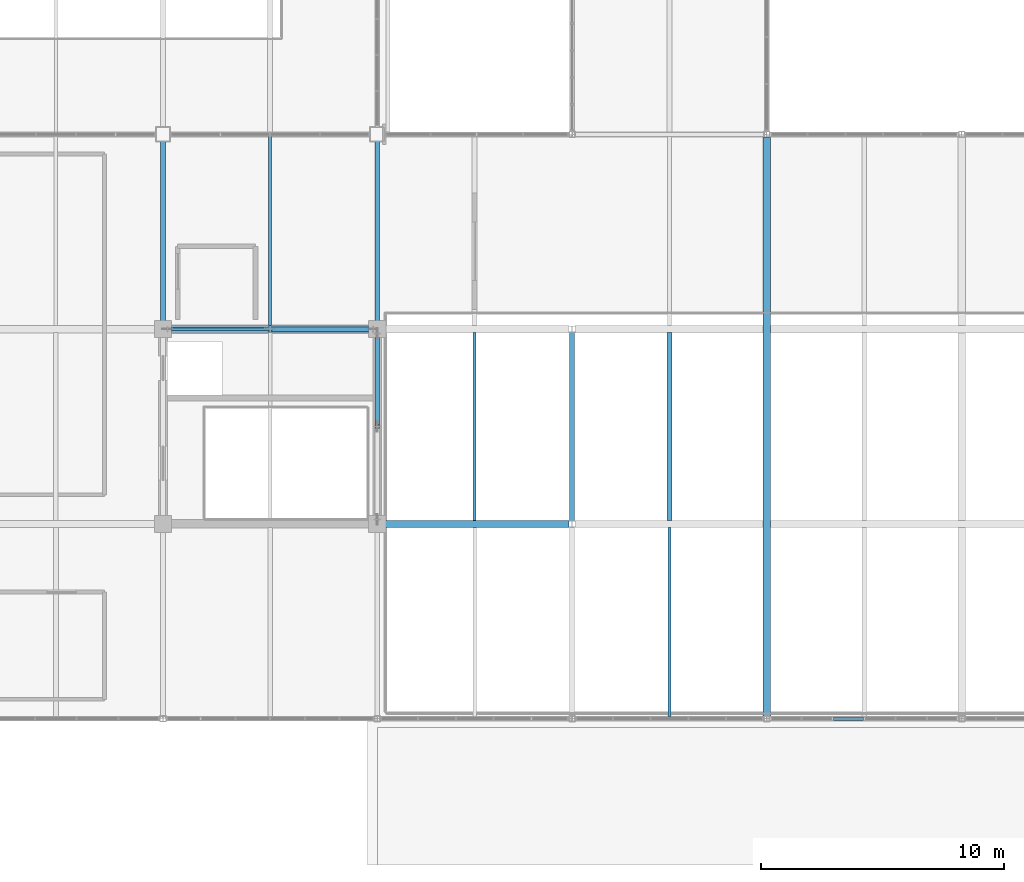
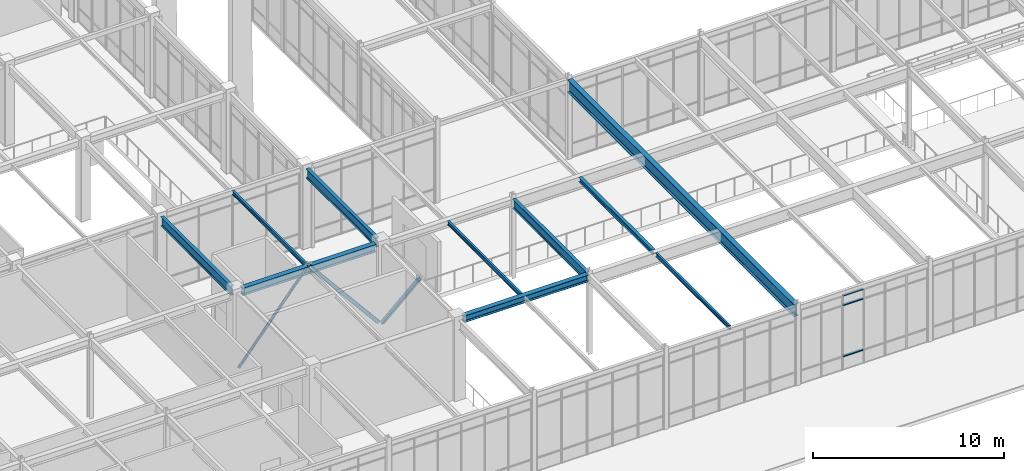
# One storey, part 32 of 184: 10 beams, 6 members, 1 element without a shape of its own.
"""IFC4 building model written with IfcOpenShell, lengths in metres."""

from ifc_helpers import new_model, si_unit, direction, frame, origin, origin_2d, place, context, subcontext, project, spatial, rectangle, hollow_rectangle, hollow_circle, i_section, extrude, material, material_profile, profile_set, type_object, element, aggregate, save


model = new_model("IFC4")

# Units and contexts
model_context = context("Model", 3, precision=1e-05, world=origin(), true_north=direction((0.0, 1.0)))
body_context = subcontext(model_context, "Body", "Model", "MODEL_VIEW")
ifc_project = project(units=[si_unit("LENGTHUNIT", "METRE"), si_unit("AREAUNIT", "SQUARE_METRE"), si_unit("VOLUMEUNIT", "CUBIC_METRE"), si_unit("PLANEANGLEUNIT", "RADIAN"), si_unit("MASSUNIT", "GRAM", prefix="KILO")], contexts=[model_context])

# Site, building, storey
site_placement = place(None, origin())
site = spatial("IfcSite", under=ifc_project, at=site_placement, CompositionType="ELEMENT")
building_placement = place(site_placement, origin())
building = spatial("IfcBuilding", under=site, at=building_placement, Name="Zhaolan Boulevard Law Courts", CompositionType="ELEMENT")
storey_placement = place(building_placement, frame((0.0, 0.0, 5.39990234375)))
storey = spatial("IfcBuildingStorey", under=building, at=storey_placement, Name="L01", CompositionType="ELEMENT", Elevation=5.39990234375)

# Members
ifc_material_1 = material(Name="Structural steel Q355B", Category="steel")
ifc_material_profile_1 = material_profile(ifc_material_1, hollow_rectangle(XDim=0.199951171875, YDim=0.199951171875, WallThickness=0.010009765625, InnerFilletRadius=0.010009765625, OuterFilletRadius=0.02001953125, at=origin_2d()), Name="HSS200x200x10")
ifc_profile_set_1 = profile_set([ifc_material_profile_1], Name="Structural steel Q355B")
member_type_1 = type_object("IfcMemberType", Name="BRACE HSS200", PredefinedType="BRACE", material=ifc_profile_set_1)
member_1_placement = place(storey_placement, frame((44.0, 21.820068359375, 0.030029296875), z_axis=(0.0, -0.600251625626, 0.799811218935), x_axis=(1.0, 0.0, 0.0)))
element("IfcMember", 1, at=member_1_placement, inside=storey, type_object=member_type_1, Name="Core Brace BR-P1-L01-E2", PredefinedType="BRACE", context=body_context, shape_type="SweptSolid", body=[
    extrude(hollow_rectangle(XDim=0.199951171875, YDim=0.199951171875, WallThickness=0.010009765625, InnerFilletRadius=0.010009765625, OuterFilletRadius=0.02001953125, at=origin_2d()), origin(), (0.0, 0.0, 1.0), 6.364013671875),
])
ifc_material_2 = material(Name="Structural steel Q355B", Category="steel")
ifc_material_profile_2 = material_profile(ifc_material_2, hollow_rectangle(XDim=0.219970703125, YDim=0.219970703125, WallThickness=0.010009765625, InnerFilletRadius=0.010009765625, OuterFilletRadius=0.02001953125, at=origin_2d()), Name="HSS220x220x10")
ifc_profile_set_2 = profile_set([ifc_material_profile_2], Name="Structural steel Q355B")
member_type_2 = type_object("IfcMemberType", Name="BRACE HSS220", PredefinedType="BRACE", material=ifc_profile_set_2)
member_2_placement = place(storey_placement, frame((43.820068359375, 22.0, 0.030029296875), z_axis=(-0.638239277889, 0.0, 0.769838050605), x_axis=(0.0, -1.0, 0.0)))
element("IfcMember", 2, at=member_2_placement, inside=storey, type_object=member_type_2, Name="Core Brace BR-P1-L01-N2", PredefinedType="BRACE", context=body_context, shape_type="SweptSolid", body=[
    extrude(hollow_rectangle(XDim=0.219970703125, YDim=0.219970703125, WallThickness=0.010009765625, InnerFilletRadius=0.010009765625, OuterFilletRadius=0.02001953125, at=origin_2d()), origin(), (0.0, 0.0, 1.0), 6.61181640625),
])

# Curtain wall, members
ifc_material_3 = material(Name="Thermally broken aluminium and low-E glazing", Category="aluminium")
curtain_wall_type = type_object("IfcCurtainWallType", Name="CURTAIN WALL M11", PredefinedType="USERDEFINED", material=ifc_material_3)
curtain_wall_placement = place(storey_placement, origin())
curtain_wall = element("IfcCurtainWall", 3, at=curtain_wall_placement, inside=storey, type_object=curtain_wall_type, Name="Curtain Wall CW-L01-035", ObjectType="CURTAIN WALL", PredefinedType="USERDEFINED")
ifc_material_4 = material(Name="Fluorocarbon-coated aluminium 6063-T6", Category="aluminium")
ifc_material_profile_3 = material_profile(ifc_material_4, rectangle(XDim=0.139892578125, YDim=0.06494140625, at=origin_2d()), Name="AL65x140")
ifc_profile_set_3 = profile_set([ifc_material_profile_3], Name="Fluorocarbon-coated aluminium 6063-T6")
member_type_3 = type_object("IfcMemberType", Name="CWTRANSOM 65X140", PredefinedType="USERDEFINED", material=ifc_profile_set_3)
member_3_placement = place(storey_placement, frame((62.741455078125, 6.0, 0.900146484375), z_axis=(1.0, 0.0, 0.0), x_axis=(0.0, 1.0, 0.0)))
member_3 = element("IfcMember", 4, at=member_3_placement, type_object=member_type_3, Name="CW-L01-035 transom 3.2", ObjectType="TRANSOM", PredefinedType="USERDEFINED", context=body_context, shape_type="SweptSolid", body=[
    extrude(rectangle(XDim=0.139892578125, YDim=0.06494140625, at=origin_2d()), origin(), (0.0, 0.0, 1.0), 1.22607421875),
])
member_4_placement = place(storey_placement, frame((62.741455078125, 6.0, 4.173095703125), z_axis=(1.0, 0.0, 0.0), x_axis=(0.0, 1.0, 0.0)))
member_4 = element("IfcMember", 5, at=member_4_placement, type_object=member_type_3, Name="CW-L01-035 transom 3.3", ObjectType="TRANSOM", PredefinedType="USERDEFINED", context=body_context, shape_type="SweptSolid", body=[
    extrude(rectangle(XDim=0.139892578125, YDim=0.06494140625, at=origin_2d()), origin(), (0.0, 0.0, 1.0), 1.22607421875),
])
member_5_placement = place(storey_placement, frame((62.741455078125, 6.0, 4.79052734375), z_axis=(1.0, 0.0, 0.0), x_axis=(0.0, 1.0, 0.0)))
member_5 = element("IfcMember", 6, at=member_5_placement, type_object=member_type_3, Name="CW-L01-035 transom 3.4", ObjectType="TRANSOM", PredefinedType="USERDEFINED", context=body_context, shape_type="SweptSolid", body=[
    extrude(rectangle(XDim=0.139892578125, YDim=0.06494140625, at=origin_2d()), origin(), (0.0, 0.0, 1.0), 1.22607421875),
])
aggregate(curtain_wall, [member_3, member_4, member_5])

# Beams
ifc_material_5 = material(Name="Structural steel Q355B", Category="steel")
ifc_material_profile_4 = material_profile(ifc_material_5, i_section(OverallWidth=0.300048828125, OverallDepth=0.43994140625, WebThickness=0.010986328125, FlangeThickness=0.01806640625, FilletRadius=0.02001953125, at=origin_2d()), Name="HM440x300")
ifc_profile_set_4 = profile_set([ifc_material_profile_4], Name="Structural steel Q355B")
beam_type_1 = type_object("IfcBeamType", Name="GIRDER HM440", PredefinedType="BEAM", material=ifc_profile_set_4)
beam_1_placement = place(storey_placement, frame((44.345947265625, 14.0, 4.918212890625), z_axis=(1.0, 0.0, 0.0), x_axis=(0.0, 1.0, 0.0)))
element("IfcBeam", 7, at=beam_1_placement, inside=storey, type_object=beam_type_1, Name="Beam BX-L02-6-7-C", PredefinedType="BEAM", context=body_context, shape_type="SweptSolid", body=[
    extrude(i_section(OverallWidth=0.300048828125, OverallDepth=0.43994140625, WebThickness=0.010986328125, FlangeThickness=0.01806640625, FilletRadius=0.02001953125, at=origin_2d()), origin(), (0.0, 0.0, 1.0), 7.532958984375),
])
ifc_material_6 = material(Name="Structural steel Q355B", Category="steel")
ifc_material_profile_5 = material_profile(ifc_material_6, i_section(OverallWidth=0.300048828125, OverallDepth=0.488037109375, WebThickness=0.010986328125, FlangeThickness=0.01806640625, FilletRadius=0.02197265625, at=origin_2d()), Name="HM488x300")
ifc_profile_set_5 = profile_set([ifc_material_profile_5], Name="Structural steel Q355B")
beam_type_2 = type_object("IfcBeamType", Name="GIRDER HM500", PredefinedType="BEAM", material=ifc_profile_set_5)
beam_2_placement = place(storey_placement, frame((35.5458984375, 22.0, 4.89404296875), z_axis=(1.0, 0.0, 0.0), x_axis=(0.0, 1.0, 0.0)))
element("IfcBeam", 8, at=beam_2_placement, inside=storey, type_object=beam_type_2, Name="Beam BX-L02-5-6-D", PredefinedType="BEAM", context=body_context, shape_type="SweptSolid", body=[
    extrude(i_section(OverallWidth=0.300048828125, OverallDepth=0.488037109375, WebThickness=0.010986328125, FlangeThickness=0.01806640625, FilletRadius=0.02197265625, at=origin_2d()), origin(), (0.0, 0.0, 1.0), 8.108154296875),
])
ifc_material_7 = material(Name="Structural steel Q355B", Category="steel")
ifc_material_profile_6 = material_profile(ifc_material_7, i_section(OverallWidth=0.199951171875, OverallDepth=0.60009765625, WebThickness=0.010986328125, FlangeThickness=0.01708984375, FilletRadius=0.02001953125, at=origin_2d()), Name="HN600x200")
ifc_profile_set_6 = profile_set([ifc_material_profile_6], Name="Structural steel Q355B")
beam_type_3 = type_object("IfcBeamType", Name="GIRDER HN600", PredefinedType="BEAM", material=ifc_profile_set_6)
for number, where, z_axis, x_axis, name in (
    (9, (35.199951171875, 22.345947265625, 4.838134765625), (0.0, 1.0, 0.0), (-1.0, 0.0, 0.0), "Beam BY-L02-5-D-E"),
    (10, (44.0, 22.345947265625, 4.838134765625), (0.0, 1.0, 0.0), (-1.0, 0.0, 0.0), "Beam BY-L02-6-D-E"),
):
    element("IfcBeam", number, at=place(storey_placement, frame(where, z_axis=z_axis, x_axis=x_axis)), inside=storey, type_object=beam_type_3, Name=name, PredefinedType="BEAM", context=body_context, shape_type="SweptSolid", body=[
        extrude(i_section(OverallWidth=0.199951171875, OverallDepth=0.60009765625, WebThickness=0.010986328125, FlangeThickness=0.01708984375, FilletRadius=0.02001953125, at=origin_2d()), origin(), (0.0, 0.0, 1.0), 7.358154296875),
    ])
beam_3_placement = place(storey_placement, frame((52.0, 14.12109375, 4.838134765625), z_axis=(0.0, 1.0, 0.0), x_axis=(-1.0, 0.0, 0.0)))
element("IfcBeam", 11, at=beam_3_placement, inside=storey, type_object=beam_type_3, Name="Beam BY-L02-7-C-D", PredefinedType="BEAM", context=body_context, shape_type="SweptSolid", body=[
    extrude(i_section(OverallWidth=0.199951171875, OverallDepth=0.60009765625, WebThickness=0.010986328125, FlangeThickness=0.01708984375, FilletRadius=0.02001953125, at=origin_2d()), origin(), (0.0, 0.0, 1.0), 7.7578125),
])
ifc_material_8 = material(Name="Structural steel Q390B", Category="steel")
ifc_material_profile_7 = material_profile(ifc_material_8, i_section(OverallWidth=0.300048828125, OverallDepth=0.800048828125, WebThickness=0.013916015625, FlangeThickness=0.02587890625, FilletRadius=0.02392578125, at=origin_2d()), Name="HN800x300")
ifc_profile_set_7 = profile_set([ifc_material_profile_7], Name="Structural steel Q390B")
beam_type_4 = type_object("IfcBeamType", Name="GIRDER HN800", PredefinedType="BEAM", material=ifc_profile_set_7)
beam_4_placement = place(storey_placement, frame((60.0, 6.12109375, 4.738037109375), z_axis=(0.0, 1.0, 0.0), x_axis=(-1.0, 0.0, 0.0)))
element("IfcBeam", 12, at=beam_4_placement, inside=storey, type_object=beam_type_4, Name="Beam BY-L02-8-B-E", PredefinedType="BEAM", context=body_context, shape_type="SweptSolid", body=[
    extrude(i_section(OverallWidth=0.300048828125, OverallDepth=0.800048828125, WebThickness=0.013916015625, FlangeThickness=0.02587890625, FilletRadius=0.02392578125, at=origin_2d()), origin(), (0.0, 0.0, 1.0), 23.7578125),
])
ifc_material_9 = material(Name="Structural steel Q355B", Category="steel")
ifc_material_profile_8 = material_profile(ifc_material_9, i_section(OverallWidth=0.199951171875, OverallDepth=0.2939453125, WebThickness=0.008056640625, FlangeThickness=0.011962890625, FilletRadius=0.01611328125, at=origin_2d()), Name="HM294x200")
ifc_profile_set_8 = profile_set([ifc_material_profile_8], Name="Structural steel Q355B")
beam_type_5 = type_object("IfcBeamType", Name="JOIST HM294", PredefinedType="JOIST", material=ifc_profile_set_8)
beam_5_placement = place(storey_placement, frame((56.0, 14.14599609375, 4.9912109375), z_axis=(0.0, 1.0, 0.0), x_axis=(-1.0, 0.0, 0.0)))
element("IfcBeam", 13, at=beam_5_placement, inside=storey, type_object=beam_type_5, Name="Composite Joist J-L02-7C", PredefinedType="JOIST", context=body_context, shape_type="SweptSolid", body=[
    extrude(i_section(OverallWidth=0.199951171875, OverallDepth=0.2939453125, WebThickness=0.008056640625, FlangeThickness=0.011962890625, FilletRadius=0.01611328125, at=origin_2d()), origin(), (0.0, 0.0, 1.0), 7.7080078125),
])
ifc_material_10 = material(Name="Structural steel Q355B", Category="steel")
ifc_material_profile_9 = material_profile(ifc_material_10, i_section(OverallWidth=0.125, OverallDepth=0.25, WebThickness=0.006103515625, FlangeThickness=0.009033203125, FilletRadius=0.010009765625, at=origin_2d()), Name="HN250x125")
ifc_profile_set_9 = profile_set([ifc_material_profile_9], Name="Structural steel Q355B")
beam_type_6 = type_object("IfcBeamType", Name="JOIST HN250", PredefinedType="JOIST", material=ifc_profile_set_9)
beam_6_placement = place(storey_placement, frame((39.60009765625, 22.14599609375, 5.01318359375), z_axis=(0.0, 1.0, 0.0), x_axis=(-1.0, 0.0, 0.0)))
element("IfcBeam", 14, at=beam_6_placement, inside=storey, type_object=beam_type_6, Name="Composite Joist J-L02-5D", PredefinedType="JOIST", context=body_context, shape_type="SweptSolid", body=[
    extrude(i_section(OverallWidth=0.125, OverallDepth=0.25, WebThickness=0.006103515625, FlangeThickness=0.009033203125, FilletRadius=0.010009765625, at=origin_2d()), origin(), (0.0, 0.0, 1.0), 7.758056640625),
])
beam_7_placement = place(storey_placement, frame((48.0, 14.14599609375, 5.01318359375), z_axis=(0.0, 1.0, 0.0), x_axis=(-1.0, 0.0, 0.0)))
element("IfcBeam", 15, at=beam_7_placement, inside=storey, type_object=beam_type_6, Name="Composite Joist J-L02-6C", PredefinedType="JOIST", context=body_context, shape_type="SweptSolid", body=[
    extrude(i_section(OverallWidth=0.125, OverallDepth=0.25, WebThickness=0.006103515625, FlangeThickness=0.009033203125, FilletRadius=0.010009765625, at=origin_2d()), origin(), (0.0, 0.0, 1.0), 7.7080078125),
])
beam_8_placement = place(storey_placement, frame((56.0, 6.095947265625, 5.01318359375), z_axis=(0.0, 1.0, 0.0), x_axis=(-1.0, 0.0, 0.0)))
element("IfcBeam", 16, at=beam_8_placement, inside=storey, type_object=beam_type_6, Name="Composite Joist J-L02-7B", PredefinedType="JOIST", context=body_context, shape_type="SweptSolid", body=[
    extrude(i_section(OverallWidth=0.125, OverallDepth=0.25, WebThickness=0.006103515625, FlangeThickness=0.009033203125, FilletRadius=0.010009765625, at=origin_2d()), origin(), (0.0, 0.0, 1.0), 7.758056640625),
])

# Member
ifc_material_11 = material(Name="Structural steel Q355B", Category="steel")
ifc_material_profile_10 = material_profile(ifc_material_11, hollow_circle(Radius=0.083984375, WallThickness=0.008056640625, at=origin_2d()), Name="CHS168x8")
ifc_profile_set_10 = profile_set([ifc_material_profile_10], Name="Structural steel Q355B")
member_type_4 = type_object("IfcMemberType", Name="STRUT CHS168", PredefinedType="BRACE", material=ifc_profile_set_10)
member_6_placement = place(storey_placement, frame((35.3798828125, 22.0, 0.030029296875), z_axis=(0.638261160419, 0.0, 0.769819908225), x_axis=(0.0, 1.0, 0.0)))
element("IfcMember", 17, at=member_6_placement, inside=storey, type_object=member_type_4, Name="Core Brace BR-P1-L01-N1", PredefinedType="BRACE", context=body_context, shape_type="SweptSolid", body=[
    extrude(hollow_circle(Radius=0.083984375, WallThickness=0.008056640625, at=origin_2d()), origin(), (0.0, 0.0, 1.0), 6.612060546875),
])

save(model, "model.ifc")
